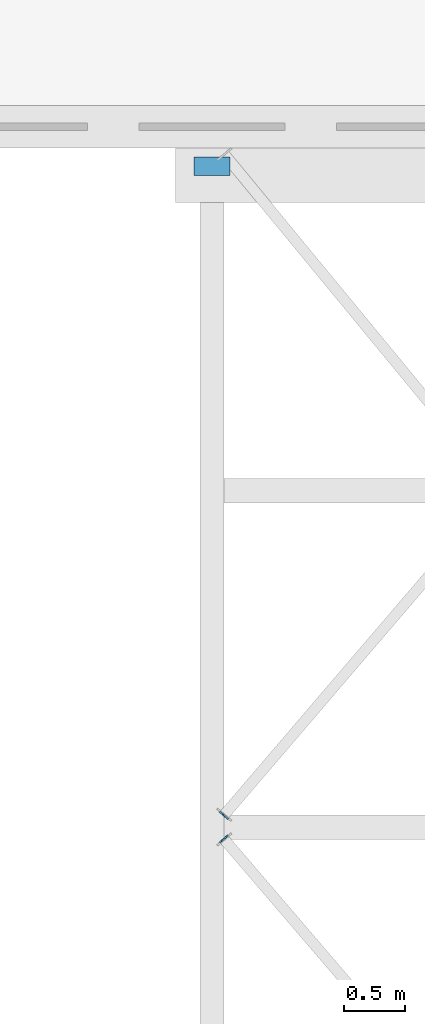
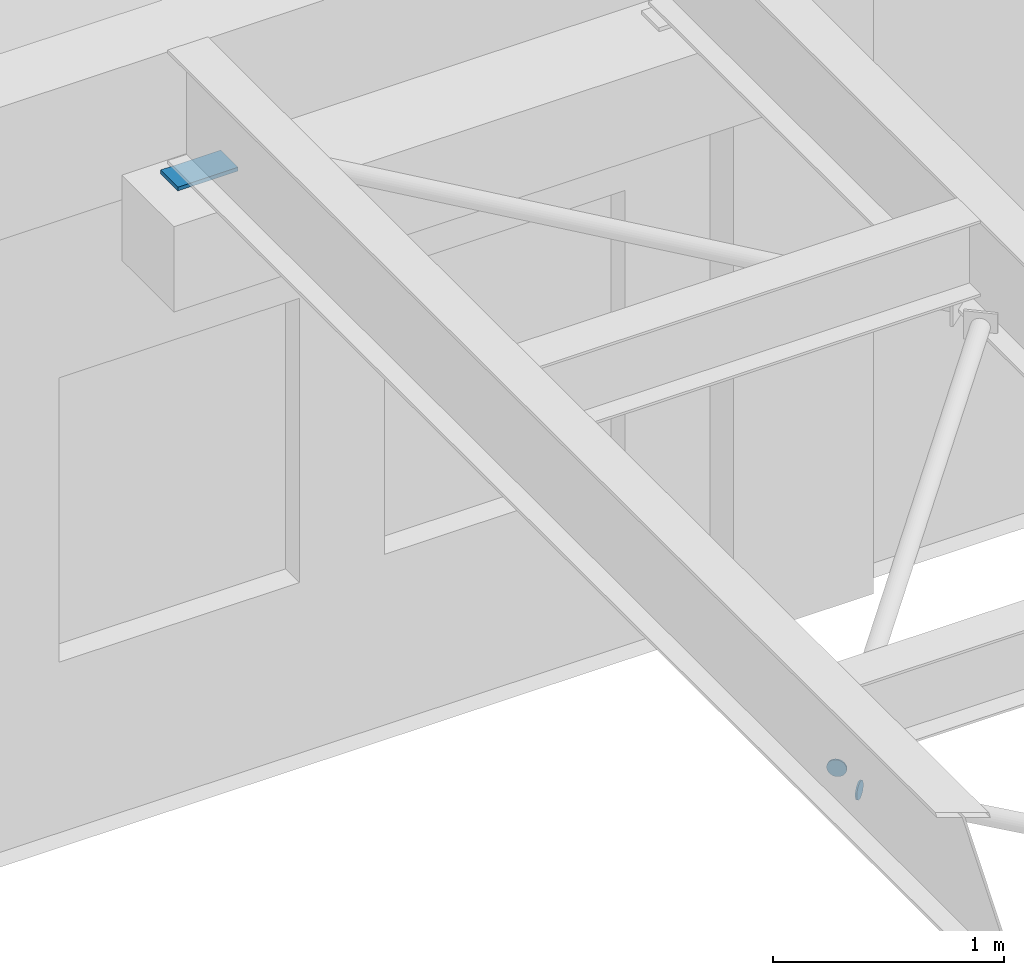
# One storey, part 89 of 103: 3 discrete accessories.
"""IFC4 building model written with IfcOpenShell, lengths in metres."""

from ifc_helpers import new_model, si_unit, direction, frame, origin, origin_2d, place, context, subcontext, project, spatial, rectangle, circle, extrude, material, material_profile, profile_set, type_object, element, save


model = new_model("IFC4")

# Units and contexts
model_context = context("Model", 3, precision=1e-05, world=origin(), true_north=direction((0.0, 1.0)))
body_context = subcontext(model_context, "Body", "Model", "MODEL_VIEW")
ifc_project = project(units=[si_unit("LENGTHUNIT", "METRE"), si_unit("AREAUNIT", "SQUARE_METRE"), si_unit("VOLUMEUNIT", "CUBIC_METRE"), si_unit("PLANEANGLEUNIT", "RADIAN"), si_unit("MASSUNIT", "GRAM", prefix="KILO")], contexts=[model_context])

# Site, building, storey
site_placement = place(None, origin())
site = spatial("IfcSite", under=ifc_project, at=site_placement, CompositionType="ELEMENT")
building_placement = place(site_placement, origin())
building = spatial("IfcBuilding", under=site, at=building_placement, Name="Laocheng Heights Fire and Rescue Headquarters", CompositionType="ELEMENT")
storey_placement = place(building_placement, frame((0.0, 0.0, 4.199951171875)))
storey = spatial("IfcBuildingStorey", under=building, at=storey_placement, Name="L01", CompositionType="ELEMENT", Elevation=4.199951171875)

# Discrete accessories
ifc_material_1 = material(Name="Steel Q355B", Category="steel")
ifc_material_profile = material_profile(ifc_material_1, circle(Radius=0.04443359375, at=origin_2d()), Name="END CAP PLATE D89 x 8 FOR STEEL BRIDGE PLAN BRACE CHS 88.9x5")
ifc_profile_set = profile_set([ifc_material_profile], Name="Steel Q355B")
discrete_accessory_type_1 = type_object("IfcDiscreteAccessoryType", Name="END CAP PLATE D89 x 8 FOR STEEL BRIDGE PLAN BRACE CHS 88.9x5", PredefinedType="BRACKET", material=ifc_profile_set)
for number, where, z_axis, x_axis, name in (
    (1, (93.10009765625, 30.137451171875, 3.4443359375), (-0.660627894892, 0.750713516923, 0.0), (-0.750713516923, -0.660627894892, 0.0), "Cap plate at Bridge B4 plan bracing end 2"),
    (2, (93.0947265625, 30.331298828125, 3.4443359375), (0.660627894892, 0.750713516923, 0.0), (-0.750713516923, 0.660627894892, 0.0), "Cap plate at Bridge B4 plan bracing end 1"),
):
    element("IfcDiscreteAccessory", number, at=place(storey_placement, frame(where, z_axis=z_axis, x_axis=x_axis)), inside=storey, type_object=discrete_accessory_type_1, Name=name, PredefinedType="BRACKET", context=body_context, shape_type="SweptSolid", body=[
        extrude(circle(Radius=0.04443359375, at=origin_2d()), origin(), (0.0, 0.0, 1.0), 0.008056640625),
    ])
ifc_material_2 = material(Name="PTFE on stainless steel plate", Category="steel")
discrete_accessory_type_2 = type_object("IfcDiscreteAccessoryType", Name="SLIDING BEARING PAD 150 x 300 x 20", PredefinedType="SHOE", material=ifc_material_2)
discrete_accessory_placement = place(storey_placement, frame((93.0, 35.675048828125, 3.380126953125), z_axis=(0.0, 0.0, 1.0), x_axis=(1.0, 0.0, 0.0)))
element("IfcDiscreteAccessory", 3, at=discrete_accessory_placement, inside=storey, type_object=discrete_accessory_type_2, Name="Sliding bearing pad B4", PredefinedType="SHOE", context=body_context, shape_type="SweptSolid", body=[
    extrude(rectangle(XDim=0.300048828125, YDim=0.14990234375, at=origin_2d()), origin(), (0.0, 0.0, 1.0), 0.02001953125),
])

save(model, "model.ifc")
